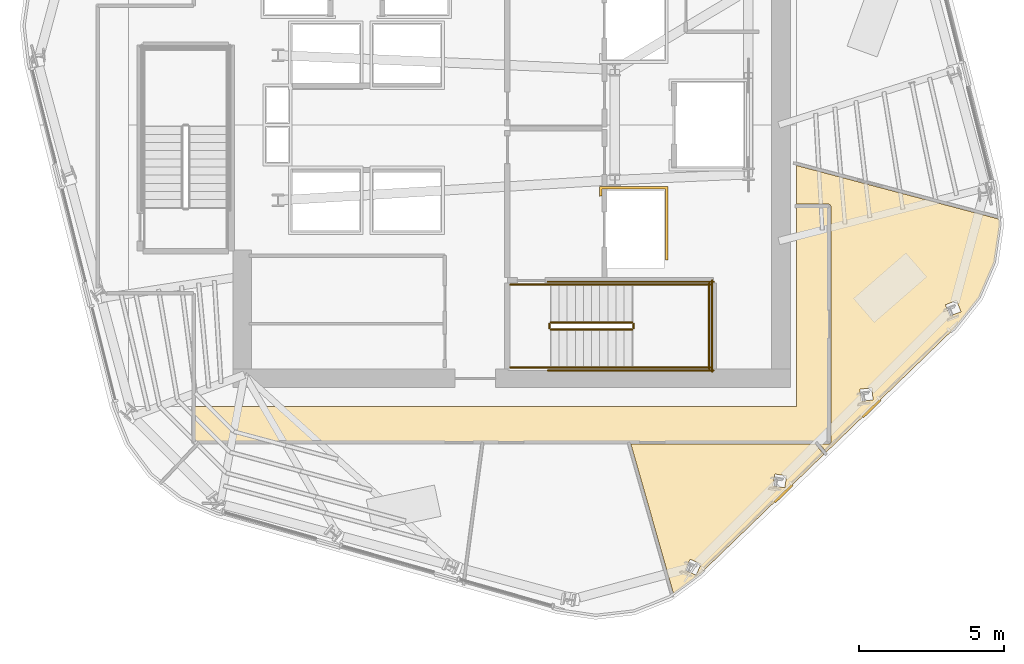
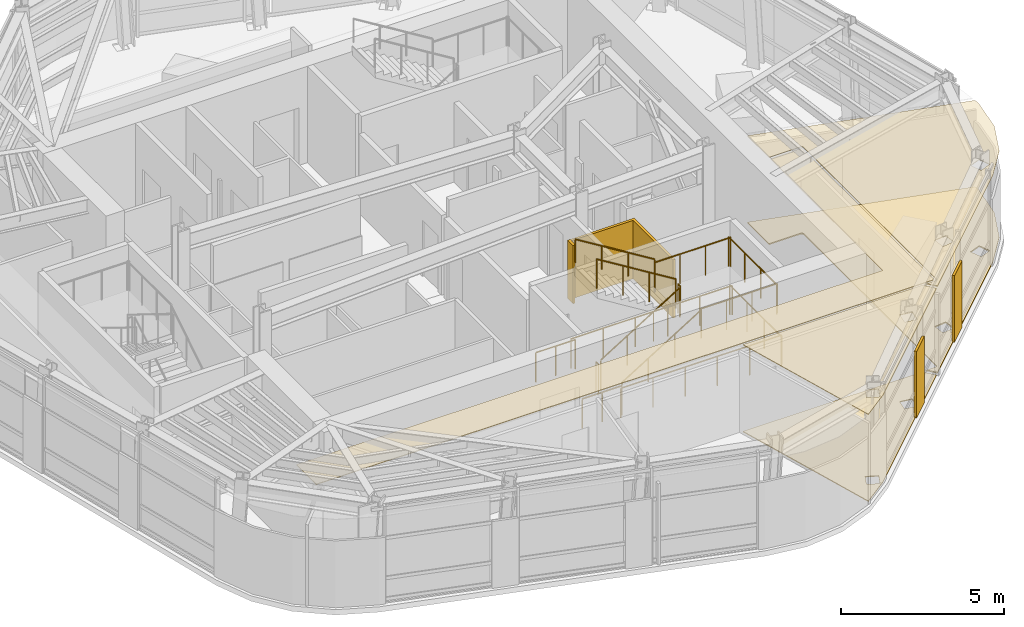
# One storey, part 11 of 14: 14 railings, 8 coverings.
"""IFC4 building model written with IfcOpenShell, lengths in metres."""

from ifc_helpers import new_model, si_unit, direction, frame, origin, origin_2d, place, context, subcontext, project, spatial, polyline, circle, outline, extrude, material, layer, layer_set, type_object, element, save


model = new_model("IFC4")

# Units and contexts
model_context = context("Model", 3, precision=1e-05, world=origin(), true_north=direction((0.0, 1.0)))
body_context = subcontext(model_context, "Body", "Model", "MODEL_VIEW")
ifc_project = project(units=[si_unit("LENGTHUNIT", "METRE"), si_unit("AREAUNIT", "SQUARE_METRE"), si_unit("VOLUMEUNIT", "CUBIC_METRE"), si_unit("PLANEANGLEUNIT", "RADIAN"), si_unit("MASSUNIT", "GRAM", prefix="KILO")], contexts=[model_context])

# Site, building, storey
site_placement = place(None, origin())
site = spatial("IfcSite", under=ifc_project, at=site_placement, CompositionType="ELEMENT")
building_placement = place(site_placement, origin())
building = spatial("IfcBuilding", under=site, at=building_placement, Name="Valkerne Bourse Tower", CompositionType="ELEMENT")
storey_placement = place(building_placement, frame((0.0, 0.0, 213.199951171875)))
storey = spatial("IfcBuildingStorey", under=building, at=storey_placement, Name="L54", CompositionType="ELEMENT", Elevation=213.199951171875)

# Coverings
ifc_material_1 = material(Name="Mineral Fiber Acoustic Ceiling Tile", Category="acoustic")
ifc_layer_1 = layer(ifc_material_1, 0.02490234375)
ifc_layer_set_1 = layer_set([ifc_layer_1], Name="Mineral Fiber Acoustic Ceiling Tile")
covering_type_1 = type_object("IfcCoveringType", Name="COV-CEIL-ACT", PredefinedType="CEILING", material=ifc_layer_set_1)
covering_1_placement = place(storey_placement, frame((0.0, 0.0, 3.25)))
element("IfcCovering", 1, at=covering_1_placement, inside=storey, type_object=covering_type_1, Name="L54 Suspended Ceiling 04", PredefinedType="CEILING", context=body_context, shape_type="SweptSolid", body=[
    extrude(outline(polyline([(50.905029296875, 16.010986328125), (57.253662109375, 16.010986328125), (57.54736328125, 15.653564453125), (53.29638671875, 11.547607421875), (52.3720703125, 10.861083984375), (50.905029296875, 16.010986328125)]), holes=[polyline([(53.31884765625, 11.8779296875), (52.94287109375, 12.045166015625), (52.940673828125, 12.044189453125), (52.7734375, 11.665771484375), (53.1494140625, 11.49853515625), (53.151611328125, 11.49951171875), (53.31884765625, 11.8779296875)]), polyline([(56.26806640625, 14.915283203125), (55.86181640625, 14.98193359375), (55.860107421875, 14.98046875), (55.7939453125, 14.572021484375), (56.2001953125, 14.50537109375), (56.201904296875, 14.506591796875), (56.26806640625, 14.915283203125)])]), origin(), (0.0, 0.0, 1.0), 0.025146484375),
])
covering_2_placement = place(storey_placement, frame((0.0, 0.0, 3.25)))
element("IfcCovering", 2, at=covering_2_placement, inside=storey, type_object=covering_type_1, Name="L54 Suspended Ceiling 07", PredefinedType="CEILING", context=body_context, shape_type="SweptSolid", body=[
    extrude(outline(polyline([(62.888671875, 21.056640625), (62.063232421875, 20.01513671875), (57.632568359375, 15.735595703125), (57.406494140625, 16.010986328125), (57.73095703125, 16.01171875), (57.771728515625, 16.033935546875), (57.788818359375, 16.076416015625), (57.788330078125, 24.210205078125), (57.76611328125, 24.251708984375), (57.723388671875, 24.268798828125), (56.60009765625, 24.26904296875), (56.60009765625, 25.603271484375), (63.58447265625, 23.754150390625), (63.60546875, 23.5732421875), (63.41259765625, 22.267578125), (62.888671875, 21.056640625)]), holes=[polyline([(59.24462890625, 17.53369140625), (59.197021484375, 17.945068359375), (58.7880859375, 17.898681640625), (58.786865234375, 17.896728515625), (58.83447265625, 17.485595703125), (59.243408203125, 17.531982421875), (59.24462890625, 17.53369140625)]), polyline([(62.26806640625, 20.569580078125), (62.11767578125, 20.955322265625), (61.73388671875, 20.806884765625), (61.733154296875, 20.8046875), (61.88330078125, 20.4189453125), (62.26708984375, 20.5673828125), (62.26806640625, 20.569580078125)])]), origin(), (0.0, 0.0, 1.0), 0.025146484375),
])
ifc_material_2 = material(Name="Bronze Anodised Aluminium AA 6063-T6", Category="aluminium")
ifc_layer_2 = layer(ifc_material_2, 0.030029296875)
ifc_layer_set_2 = layer_set([ifc_layer_2], Name="Bronze Anodised Aluminium AA 6063-T6")
covering_type_2 = type_object("IfcCoveringType", Name="COV-CEIL-METAL", PredefinedType="CEILING", material=ifc_layer_set_2)
covering_3_placement = place(storey_placement, frame((0.0, 0.0, 3.25)))
element("IfcCovering", 3, at=covering_3_placement, inside=storey, type_object=covering_type_2, Name="L54 Suspended Ceiling 01", PredefinedType="CEILING", context=body_context, shape_type="SweptSolid", body=[
    extrude(outline(polyline([(35.85400390625, 17.300048828125), (56.60009765625, 17.300048828125), (56.60009765625, 24.196044921875), (57.716064453125, 24.196044921875), (57.716064453125, 16.083984375), (35.85400390625, 16.083984375), (35.85400390625, 17.300048828125)])), origin(), (0.0, 0.0, 1.0), 0.025146484375),
])
ifc_layer_3 = layer(ifc_material_2, 0.06005859375)
ifc_layer_set_3 = layer_set([ifc_layer_3], Name="Bronze Anodised Aluminium AA 6063-T6")
covering_type_3 = type_object("IfcCoveringType", Name="COV-CRN-ALUM", PredefinedType="CLADDING", material=ifc_layer_set_3)
covering_4_placement = place(storey_placement, origin())
element("IfcCovering", 4, at=covering_4_placement, inside=storey, type_object=covering_type_3, Name="L54 Wind-Shaped Corner Aluminium Cladding 02", PredefinedType="CLADDING", context=body_context, shape_type="SweptSolid", body=[
    extrude(outline(polyline([(58.9189453125, 16.9169921875), (58.86328125, 16.974609375), (59.46728515625, 17.55810546875), (59.523193359375, 17.50048828125), (58.9189453125, 16.9169921875)])), origin(), (0.0, 0.0, 1.0), 2.5),
])
covering_5_placement = place(storey_placement, origin())
element("IfcCovering", 5, at=covering_5_placement, inside=storey, type_object=covering_type_3, Name="L54 Wind-Shaped Corner Aluminium Cladding 03", PredefinedType="CLADDING", context=body_context, shape_type="SweptSolid", body=[
    extrude(outline(polyline([(55.889404296875, 13.99072265625), (55.83349609375, 14.04833984375), (56.437744140625, 14.6318359375), (56.493408203125, 14.574462890625), (55.889404296875, 13.99072265625)])), origin(), (0.0, 0.0, 1.0), 2.5),
])
ifc_material_3 = material(Name="Galvanised Painted Steel", Category="steel")
ifc_layer_4 = layer(ifc_material_3, 0.044921875)
ifc_layer_set_4 = layer_set([ifc_layer_4], Name="Galvanised Painted Steel")
covering_type_4 = type_object("IfcCoveringType", Name="COV-FLR-RAF", PredefinedType="FLOORING", material=ifc_layer_set_4)
covering_6_placement = place(storey_placement, origin())
element("IfcCovering", 6, at=covering_6_placement, inside=storey, type_object=covering_type_4, Name="L54 Floor Finish 07", PredefinedType="FLOORING", context=body_context, shape_type="SweptSolid", body=[
    extrude(outline(polyline([(62.888671875, 21.056640625), (62.063232421875, 20.01513671875), (57.632568359375, 15.735595703125), (57.406494140625, 16.010986328125), (57.73095703125, 16.01171875), (57.771728515625, 16.033935546875), (57.788818359375, 16.076416015625), (57.788330078125, 24.210205078125), (57.76611328125, 24.251708984375), (57.723388671875, 24.268798828125), (56.60009765625, 24.26904296875), (56.60009765625, 25.603271484375), (63.58447265625, 23.754150390625), (63.60546875, 23.5732421875), (63.41259765625, 22.267578125), (62.888671875, 21.056640625)]), holes=[polyline([(59.24462890625, 17.53369140625), (59.197021484375, 17.945068359375), (58.7880859375, 17.898681640625), (58.786865234375, 17.896728515625), (58.83447265625, 17.485595703125), (59.243408203125, 17.531982421875), (59.24462890625, 17.53369140625)]), polyline([(62.26806640625, 20.569580078125), (62.11767578125, 20.955322265625), (61.73388671875, 20.806884765625), (61.733154296875, 20.8046875), (61.88330078125, 20.4189453125), (62.26708984375, 20.5673828125), (62.26806640625, 20.569580078125)])]), origin(), (0.0, 0.0, 1.0), 0.045166015625),
])
ifc_material_4 = material(Name="Polished Granite Stone", Category="masonry")
ifc_layer_5 = layer(ifc_material_4, 0.030029296875)
ifc_layer_set_5 = layer_set([ifc_layer_5], Name="Polished Granite Stone")
covering_type_5 = type_object("IfcCoveringType", Name="COV-FLR-TERRAZZO", PredefinedType="FLOORING", material=ifc_layer_set_5)
covering_7_placement = place(storey_placement, origin())
element("IfcCovering", 7, at=covering_7_placement, inside=storey, type_object=covering_type_5, Name="L54 Floor Finish 04", PredefinedType="FLOORING", context=body_context, shape_type="SweptSolid", body=[
    extrude(outline(polyline([(50.905029296875, 16.010986328125), (57.253662109375, 16.010986328125), (57.54736328125, 15.653564453125), (53.29638671875, 11.547607421875), (52.3720703125, 10.861083984375), (50.905029296875, 16.010986328125)]), holes=[polyline([(53.31884765625, 11.8779296875), (52.94287109375, 12.045166015625), (52.940673828125, 12.044189453125), (52.7734375, 11.665771484375), (53.1494140625, 11.49853515625), (53.151611328125, 11.49951171875), (53.31884765625, 11.8779296875)]), polyline([(56.26806640625, 14.915283203125), (55.86181640625, 14.98193359375), (55.860107421875, 14.98046875), (55.7939453125, 14.572021484375), (56.2001953125, 14.50537109375), (56.201904296875, 14.506591796875), (56.26806640625, 14.915283203125)])]), origin(), (0.0, 0.0, 1.0), 0.030029296875),
])
ifc_material_5 = material(Name="Gypsum Shaftwall Liner Board", Category="gypsum")
ifc_layer_6 = layer(ifc_material_5, 0.080078125)
ifc_layer_set_6 = layer_set([ifc_layer_6], Name="Gypsum Shaftwall Liner Board")
covering_type_6 = type_object("IfcCoveringType", Name="COV-SHF-CLAD", PredefinedType="CLADDING", material=ifc_layer_set_6)
covering_8_placement = place(storey_placement, origin())
element("IfcCovering", 8, at=covering_8_placement, inside=storey, type_object=covering_type_6, Name="L54 Hoistway & Riser Shaftwall Liner 05", PredefinedType="CLADDING", context=body_context, shape_type="SweptSolid", body=[
    extrude(outline(polyline([(52.179931640625, 22.35009765625), (52.090087890625, 22.35009765625), (52.090087890625, 24.7900390625), (49.909912109375, 24.7900390625), (49.909912109375, 24.560791015625), (49.869384765625, 24.550537109375), (49.827880859375, 24.53564453125), (49.820068359375, 24.531982421875), (49.820068359375, 24.8798828125), (52.179931640625, 24.8798828125), (52.179931640625, 22.35009765625)])), origin(), (0.0, 0.0, 1.0), 2.179931640625),
])

# Railings
railing_type_1 = type_object("IfcRailingType", Name="RLG-ST-GUARD-1120", PredefinedType="GUARDRAIL", material=ifc_material_3)
railing_1_placement = place(storey_placement, frame((48.14990234375, 19.949951171875, 0.1728515625)))
element("IfcRailing", 9, at=railing_1_placement, inside=storey, type_object=railing_type_1, Name="L54 ST-1 stair guard 1", PredefinedType="GUARDRAIL", context=body_context, shape_type="SweptSolid", body=[
    extrude(circle(Radius=0.02392578125, at=origin_2d()), frame((0.0, 0.0, 1.09619140625), z_axis=(0.851089632645, 0.0, 0.525020415988), x_axis=(0.0, 1.0, 0.0)), (0.0, 0.0, 1.0), 3.2900390625),
    extrude(circle(Radius=0.02099609375, at=origin_2d()), origin(), (0.0, 0.0, 1.0), 1.072021484375),
    extrude(circle(Radius=0.02099609375, at=origin_2d()), frame((0.933349609375, 0.0, 0.57568359375)), (0.0, 0.0, 1.0), 1.072021484375),
    extrude(circle(Radius=0.02099609375, at=origin_2d()), frame((1.86669921875, 0.0, 1.151611328125)), (0.0, 0.0, 1.0), 1.072021484375),
    extrude(circle(Radius=0.02099609375, at=origin_2d()), frame((2.800048828125, 0.0, 1.727294921875)), (0.0, 0.0, 1.0), 1.072021484375),
])
railing_2_placement = place(storey_placement, frame((51.0, 20.0, 1.900146484375)))
element("IfcRailing", 10, at=railing_2_placement, inside=storey, type_object=railing_type_1, Name="L54 ST-1 stair guard 2", PredefinedType="GUARDRAIL", context=body_context, shape_type="SweptSolid", body=[
    extrude(circle(Radius=0.02392578125, at=origin_2d()), frame((0.0, 0.0, 1.09619140625), z_axis=(0.0, 1.0, 0.0), x_axis=(-1.0, 0.0, 0.0)), (0.0, 0.0, 1.0), 0.14990234375),
    extrude(circle(Radius=0.02099609375, at=origin_2d()), origin(), (0.0, 0.0, 1.0), 1.072021484375),
    extrude(circle(Radius=0.02099609375, at=origin_2d()), frame((0.0, 0.14990234375, 0.0)), (0.0, 0.0, 1.0), 1.072021484375),
])
for number, where, name in (
    (11, (50.949951171875, 18.64990234375, 1.900146484375), "L54 ST-1 stair guard 3"),
    (12, (50.949951171875, 21.5, 1.900146484375), "L54 ST-1 stair guard 4"),
):
    element("IfcRailing", number, at=place(storey_placement, frame(where)), inside=storey, type_object=railing_type_1, Name=name, PredefinedType="GUARDRAIL", context=body_context, shape_type="SweptSolid", body=[
        extrude(circle(Radius=0.02392578125, at=origin_2d()), frame((0.0, 0.0, 1.09619140625), z_axis=(1.0, 0.0, 0.0), x_axis=(0.0, 1.0, 0.0)), (0.0, 0.0, 1.0), 2.699951171875),
        extrude(circle(Radius=0.02099609375, at=origin_2d()), origin(), (0.0, 0.0, 1.0), 1.072021484375),
        extrude(circle(Radius=0.02099609375, at=origin_2d()), frame((0.89990234375, 0.0, 0.0)), (0.0, 0.0, 1.0), 1.072021484375),
        extrude(circle(Radius=0.02099609375, at=origin_2d()), frame((1.800048828125, 0.0, 0.0)), (0.0, 0.0, 1.0), 1.072021484375),
        extrude(circle(Radius=0.02099609375, at=origin_2d()), frame((2.699951171875, 0.0, 0.0)), (0.0, 0.0, 1.0), 1.072021484375),
    ])
railing_3_placement = place(storey_placement, frame((53.60009765625, 18.60009765625, 1.900146484375)))
element("IfcRailing", 13, at=railing_3_placement, inside=storey, type_object=railing_type_1, Name="L54 ST-1 stair guard 5", PredefinedType="GUARDRAIL", context=body_context, shape_type="SweptSolid", body=[
    extrude(circle(Radius=0.02392578125, at=origin_2d()), frame((0.0, 0.0, 1.09619140625), z_axis=(0.0, 1.0, 0.0), x_axis=(-1.0, 0.0, 0.0)), (0.0, 0.0, 1.0), 2.949951171875),
    extrude(circle(Radius=0.02099609375, at=origin_2d()), origin(), (0.0, 0.0, 1.0), 1.072021484375),
    extrude(circle(Radius=0.02099609375, at=origin_2d()), frame((0.0, 0.9833984375, 0.0)), (0.0, 0.0, 1.0), 1.072021484375),
    extrude(circle(Radius=0.02099609375, at=origin_2d()), frame((0.0, 1.966552734375, 0.0)), (0.0, 0.0, 1.0), 1.072021484375),
    extrude(circle(Radius=0.02099609375, at=origin_2d()), frame((0.0, 2.949951171875, 0.0)), (0.0, 0.0, 1.0), 1.072021484375),
])
railing_4_placement = place(storey_placement, frame((50.949951171875, 20.199951171875, 2.07275390625)))
element("IfcRailing", 14, at=railing_4_placement, inside=storey, type_object=railing_type_1, Name="L54 ST-1 stair guard 6", PredefinedType="GUARDRAIL", context=body_context, shape_type="SweptSolid", body=[
    extrude(circle(Radius=0.02392578125, at=origin_2d()), frame((0.0, 0.0, 1.09619140625), z_axis=(-0.851089632645, 0.0, 0.525020415988), x_axis=(0.0, -1.0, 0.0)), (0.0, 0.0, 1.0), 3.2900390625),
    extrude(circle(Radius=0.02099609375, at=origin_2d()), origin(), (0.0, 0.0, 1.0), 1.072021484375),
    extrude(circle(Radius=0.02099609375, at=origin_2d()), frame((-0.933349609375, 0.0, 0.57568359375)), (0.0, 0.0, 1.0), 1.072021484375),
    extrude(circle(Radius=0.02099609375, at=origin_2d()), frame((-1.86669921875, 0.0, 1.151611328125)), (0.0, 0.0, 1.0), 1.072021484375),
    extrude(circle(Radius=0.02099609375, at=origin_2d()), frame((-2.800048828125, 0.0, 1.727294921875)), (0.0, 0.0, 1.0), 1.072021484375),
])
railing_5_placement = place(storey_placement, frame((48.10009765625, 20.0, 0.0)))
element("IfcRailing", 15, at=railing_5_placement, inside=storey, type_object=railing_type_1, Name="L54 ST-1 stair guard 7", PredefinedType="GUARDRAIL", context=body_context, shape_type="SweptSolid", body=[
    extrude(circle(Radius=0.02392578125, at=origin_2d()), frame((0.0, 0.0, 1.09619140625), z_axis=(0.0, 1.0, 0.0), x_axis=(-1.0, 0.0, 0.0)), (0.0, 0.0, 1.0), 0.14990234375),
    extrude(circle(Radius=0.02099609375, at=origin_2d()), origin(), (0.0, 0.0, 1.0), 1.072021484375),
    extrude(circle(Radius=0.02099609375, at=origin_2d()), frame((0.0, 0.14990234375, 0.0)), (0.0, 0.0, 1.0), 1.072021484375),
])
for number, where, name in (
    (16, (46.75, 18.64990234375, 0.0), "L54 ST-1 stair guard 8"),
    (17, (46.75, 21.5, 0.0), "L54 ST-1 stair guard 9"),
):
    element("IfcRailing", number, at=place(storey_placement, frame(where)), inside=storey, type_object=railing_type_1, Name=name, PredefinedType="GUARDRAIL", context=body_context, shape_type="SweptSolid", body=[
        extrude(circle(Radius=0.02392578125, at=origin_2d()), frame((0.0, 0.0, 1.09619140625), z_axis=(1.0, 0.0, 0.0), x_axis=(0.0, 1.0, 0.0)), (0.0, 0.0, 1.0), 1.39990234375),
        extrude(circle(Radius=0.02099609375, at=origin_2d()), origin(), (0.0, 0.0, 1.0), 1.072021484375),
        extrude(circle(Radius=0.02099609375, at=origin_2d()), frame((0.699951171875, 0.0, 0.0)), (0.0, 0.0, 1.0), 1.072021484375),
        extrude(circle(Radius=0.02099609375, at=origin_2d()), frame((1.39990234375, 0.0, 0.0)), (0.0, 0.0, 1.0), 1.072021484375),
    ])
for number, where, name in (
    (18, (48.050048828125, 18.550048828125, 0.0), "L54 ST-1 stair guard 10"),
    (19, (48.050048828125, 21.60009765625, 0.0), "L54 ST-1 stair guard 11"),
):
    element("IfcRailing", number, at=place(storey_placement, frame(where)), inside=storey, type_object=railing_type_1, Name=name, PredefinedType="GUARDRAIL", context=body_context, shape_type="SweptSolid", body=[
        extrude(circle(Radius=0.02392578125, at=origin_2d()), frame((0.0, 0.0, 1.09619140625), z_axis=(1.0, 0.0, 0.0), x_axis=(0.0, 1.0, 0.0)), (0.0, 0.0, 1.0), 5.699951171875),
        extrude(circle(Radius=0.02099609375, at=origin_2d()), origin(), (0.0, 0.0, 1.0), 1.072021484375),
        extrude(circle(Radius=0.02099609375, at=origin_2d()), frame((1.139892578125, 0.0, 0.0)), (0.0, 0.0, 1.0), 1.072021484375),
        extrude(circle(Radius=0.02099609375, at=origin_2d()), frame((2.280029296875, 0.0, 0.0)), (0.0, 0.0, 1.0), 1.072021484375),
        extrude(circle(Radius=0.02099609375, at=origin_2d()), frame((3.419921875, 0.0, 0.0)), (0.0, 0.0, 1.0), 1.072021484375),
        extrude(circle(Radius=0.02099609375, at=origin_2d()), frame((4.56005859375, 0.0, 0.0)), (0.0, 0.0, 1.0), 1.072021484375),
        extrude(circle(Radius=0.02099609375, at=origin_2d()), frame((5.699951171875, 0.0, 0.0)), (0.0, 0.0, 1.0), 1.072021484375),
    ])
railing_6_placement = place(storey_placement, frame((53.699951171875, 18.5, 0.0)))
element("IfcRailing", 20, at=railing_6_placement, inside=storey, type_object=railing_type_1, Name="L54 ST-1 stair guard 12", PredefinedType="GUARDRAIL", context=body_context, shape_type="SweptSolid", body=[
    extrude(circle(Radius=0.02392578125, at=origin_2d()), frame((0.0, 0.0, 1.09619140625), z_axis=(0.0, 1.0, 0.0), x_axis=(-1.0, 0.0, 0.0)), (0.0, 0.0, 1.0), 3.14990234375),
    extrude(circle(Radius=0.02099609375, at=origin_2d()), origin(), (0.0, 0.0, 1.0), 1.072021484375),
    extrude(circle(Radius=0.02099609375, at=origin_2d()), frame((0.0, 1.050048828125, 0.0)), (0.0, 0.0, 1.0), 1.072021484375),
    extrude(circle(Radius=0.02099609375, at=origin_2d()), frame((0.0, 2.099853515625, 0.0)), (0.0, 0.0, 1.0), 1.072021484375),
    extrude(circle(Radius=0.02099609375, at=origin_2d()), frame((0.0, 3.14990234375, 0.0)), (0.0, 0.0, 1.0), 1.072021484375),
])
ifc_material_6 = material(Name="Stainless Steel AISI 316", Category="steel")
railing_type_2 = type_object("IfcRailingType", Name="RLG-ST-HANDRAIL-900", PredefinedType="HANDRAIL", material=ifc_material_6)
railing_7_placement = place(storey_placement, frame((48.14990234375, 18.64990234375, 0.345458984375)))
element("IfcRailing", 21, at=railing_7_placement, inside=storey, type_object=railing_type_2, Name="L54 ST-1 stair handrail 1", PredefinedType="HANDRAIL", context=body_context, shape_type="SweptSolid", body=[
    extrude(circle(Radius=0.02392578125, at=origin_2d()), frame((0.0, 0.0, 0.8759765625), z_axis=(0.851089632645, 0.0, 0.525020415988), x_axis=(0.0, 1.0, 0.0)), (0.0, 0.0, 1.0), 3.2900390625),
    extrude(circle(Radius=0.02099609375, at=origin_2d()), origin(), (0.0, 0.0, 1.0), 0.851806640625),
    extrude(circle(Radius=0.02099609375, at=origin_2d()), frame((0.933349609375, 0.0, 0.57568359375)), (0.0, 0.0, 1.0), 0.851806640625),
    extrude(circle(Radius=0.02099609375, at=origin_2d()), frame((1.86669921875, 0.0, 1.151611328125)), (0.0, 0.0, 1.0), 0.851806640625),
    extrude(circle(Radius=0.02099609375, at=origin_2d()), frame((2.800048828125, 0.0, 1.727294921875)), (0.0, 0.0, 1.0), 0.851806640625),
])
railing_8_placement = place(storey_placement, frame((50.949951171875, 21.5, 2.24560546875)))
element("IfcRailing", 22, at=railing_8_placement, inside=storey, type_object=railing_type_2, Name="L54 ST-1 stair handrail 2", PredefinedType="HANDRAIL", context=body_context, shape_type="SweptSolid", body=[
    extrude(circle(Radius=0.02392578125, at=origin_2d()), frame((0.0, 0.0, 0.8759765625), z_axis=(-0.851122791225, 0.0, 0.524966660138), x_axis=(0.0, -1.0, 0.0)), (0.0, 0.0, 1.0), 3.289794921875),
    extrude(circle(Radius=0.02099609375, at=origin_2d()), origin(), (0.0, 0.0, 1.0), 0.851806640625),
    extrude(circle(Radius=0.02099609375, at=origin_2d()), frame((-0.933349609375, 0.0, 0.57568359375)), (0.0, 0.0, 1.0), 0.851806640625),
    extrude(circle(Radius=0.02099609375, at=origin_2d()), frame((-1.86669921875, 0.0, 1.1513671875)), (0.0, 0.0, 1.0), 0.851806640625),
    extrude(circle(Radius=0.02099609375, at=origin_2d()), frame((-2.800048828125, 0.0, 1.72705078125)), (0.0, 0.0, 1.0), 0.851806640625),
])

save(model, "model.ifc")
